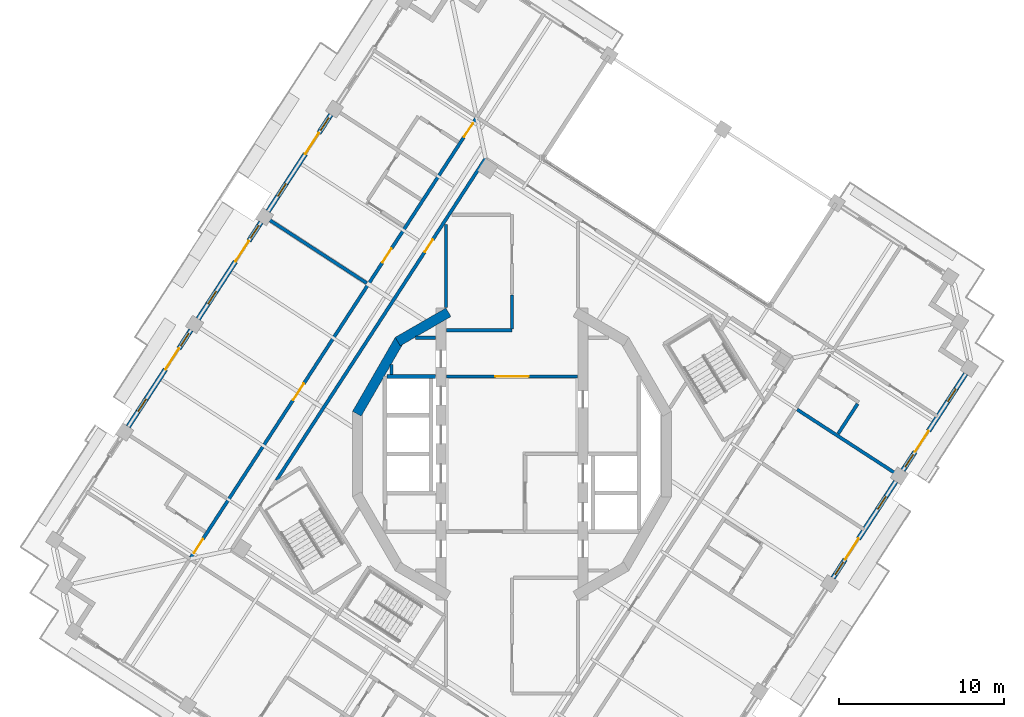
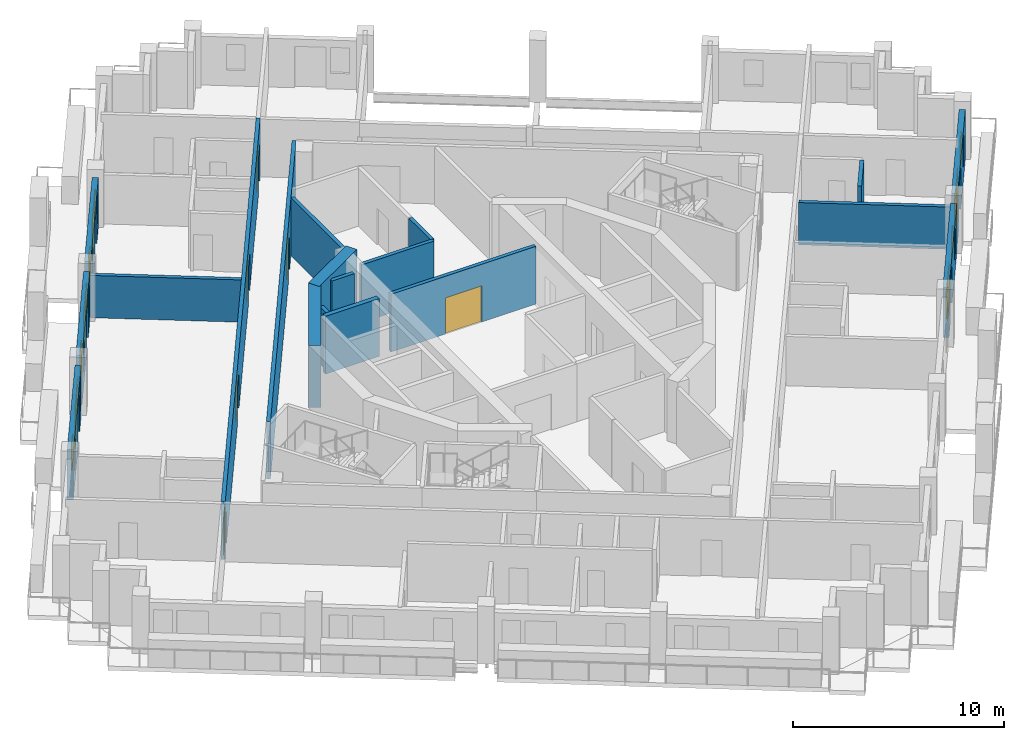
# One storey, part 9 of 17: 19 walls, 11 doors, 10 windows, 21 openings.
"""IFC4 building model written with IfcOpenShell, lengths in metres."""

from ifc_helpers import new_model, si_unit, direction, frame, frame_2d, origin, place, context, subcontext, project, spatial, rectangle, extrude, material, layer, layer_set, type_object, element, fill, save


model = new_model("IFC4")

# Units and contexts
model_context = context("Model", 3, precision=1e-05, world=origin(), true_north=direction((0.0, 1.0)))
body_context = subcontext(model_context, "Body", "Model", "MODEL_VIEW")
ifc_project = project(units=[si_unit("LENGTHUNIT", "METRE"), si_unit("AREAUNIT", "SQUARE_METRE"), si_unit("VOLUMEUNIT", "CUBIC_METRE"), si_unit("PLANEANGLEUNIT", "RADIAN"), si_unit("MASSUNIT", "GRAM", prefix="KILO")], contexts=[model_context])

# Site, building, storey
site_placement = place(None, origin())
site = spatial("IfcSite", under=ifc_project, at=site_placement, CompositionType="ELEMENT")
building_placement = place(site_placement, origin())
building = spatial("IfcBuilding", under=site, at=building_placement, Name="Cantera Rosa Tower", CompositionType="ELEMENT")
storey_placement = place(building_placement, frame((0.0, 0.0, 275.699951171875)))
storey = spatial("IfcBuildingStorey", under=building, at=storey_placement, Name="L62", CompositionType="ELEMENT", Elevation=275.699951171875)

# Wall, opening, door
ifc_material_1 = material(Name="Gypsum board partition")
ifc_layer_1 = layer(ifc_material_1, 0.199951171875)
ifc_layer_set_1 = layer_set([ifc_layer_1], Name="CORRIDOR WALL 200 H3350")
wall_type_1 = type_object("IfcWallType", Name="CORRIDOR WALL 200 H3350", PredefinedType="PARTITIONING", material=ifc_layer_set_1)
wall_1_placement = place(storey_placement, frame((-3.969970703125, 4.699951171875, 0.0), z_axis=(0.0, 0.0, 1.0), x_axis=(1.0, 0.0, 0.0)))
wall_1 = element("IfcWall", 1, at=wall_1_placement, inside=storey, type_object=wall_type_1, Name="CORRIDOR WALL L62-045", PredefinedType="PARTITIONING", context=body_context, shape_type="SweptSolid", body=[
    extrude(rectangle(XDim=7.93994140625, YDim=0.199951171875, at=frame_2d((3.969970703125, 0.0))), origin(), (0.0, 0.0, 1.0), 3.35009765625),
])
opening_1_placement = place(wall_1_placement, frame((2.969970703125, 0.0, 0.0)))
opening_1 = element("IfcOpeningElement", 2, at=opening_1_placement, cuts=wall_1, Name="Opening L62-009", PredefinedType="OPENING", context=body_context, shape_type="SweptSolid", body=[
    extrude(rectangle(XDim=2.0, YDim=2.10009765625, at=frame_2d((1.0, 1.050048828125))), frame((0.0, 0.10986328125, 0.0), z_axis=(0.0, -1.0, 0.0), x_axis=(1.0, 0.0, 0.0)), (0.0, 0.0, 1.0), 0.219970703125),
])
ifc_material_2 = material(Name="Steel S355J2 (EN 10025-2)", Category="steel")
door_type_1 = type_object("IfcDoorType", Name="LOBBY SCREEN DOOR 2000x2100", OperationType="NOTDEFINED", PredefinedType="DOOR", material=ifc_material_2)
door_1_placement = place(opening_1_placement, origin())
door_1 = element("IfcDoor", 3, at=door_1_placement, inside=storey, type_object=door_type_1, Name="DOOR L62-009", OperationType="NOTDEFINED", OverallHeight=2.10009765625, OverallWidth=2.0, PredefinedType="DOOR", context=body_context, shape_type="SweptSolid", body=[
    extrude(rectangle(XDim=2.0, YDim=2.10009765625, at=frame_2d((1.0, 1.050048828125))), frame((0.0, 0.02490234375, 0.0), z_axis=(0.0, -1.0, 0.0), x_axis=(1.0, 0.0, 0.0)), (0.0, 0.0, 1.0), 0.050048828125),
])
fill(opening_1, door_1)

# Wall
wall_2_placement = place(storey_placement, frame((-3.969970703125, 7.5, 0.0), z_axis=(0.0, 0.0, 1.0), x_axis=(1.0, 0.0, 0.0)))
element("IfcWall", 4, at=wall_2_placement, inside=storey, type_object=wall_type_1, Name="CORRIDOR WALL L62-046", PredefinedType="PARTITIONING", context=body_context, shape_type="SweptSolid", body=[
    extrude(rectangle(XDim=3.969970703125, YDim=0.199951171875, at=frame_2d((1.98486328125, 0.0))), origin(), (0.0, 0.0, 1.0), 3.35009765625),
])

# Wall, openings, doors
wall_3_placement = place(storey_placement, frame((-2.1318359375, 20.402587890625, 0.0), z_axis=(0.0, 0.0, 1.0), x_axis=(-0.544641000227, -0.838669291719, 0.0)))
wall_3 = element("IfcWall", 5, at=wall_3_placement, inside=storey, type_object=wall_type_1, Name="CORRIDOR WALL L62-049", PredefinedType="PARTITIONING", context=body_context, shape_type="SweptSolid", body=[
    extrude(rectangle(XDim=31.800048828125, YDim=0.199951171875, at=frame_2d((15.89990234375, 0.0))), origin(), (0.0, 0.0, 1.0), 3.35009765625),
])
opening_2_placement = place(wall_3_placement, frame((19.239990234375, 0.0, 0.0)))
opening_2 = element("IfcOpeningElement", 6, at=opening_2_placement, cuts=wall_3, Name="Opening L62-022", PredefinedType="OPENING", context=body_context, shape_type="SweptSolid", body=[
    extrude(rectangle(XDim=1.199951171875, YDim=2.10009765625, at=frame_2d((0.60009765625, 1.050048828125))), frame((0.0, 0.10986328125, 0.0), z_axis=(0.0, -1.0, 0.0), x_axis=(1.0, 0.0, 0.0)), (0.0, 0.0, 1.0), 0.219970703125),
])
opening_3_placement = place(wall_3_placement, frame((9.4951171875, 0.0, 0.0)))
opening_3 = element("IfcOpeningElement", 7, at=opening_3_placement, cuts=wall_3, Name="Opening L62-023", PredefinedType="OPENING", context=body_context, shape_type="SweptSolid", body=[
    extrude(rectangle(XDim=1.0, YDim=2.10009765625, at=frame_2d((0.5, 1.050048828125))), frame((0.0, 0.10986328125, 0.0), z_axis=(0.0, -1.0, 0.0), x_axis=(1.0, 0.0, 0.0)), (0.0, 0.0, 1.0), 0.219970703125),
])
opening_4_placement = place(wall_3_placement, frame((0.43994140625, 0.0, 0.0)))
opening_4 = element("IfcOpeningElement", 8, at=opening_4_placement, cuts=wall_3, Name="Opening L62-026", PredefinedType="OPENING", context=body_context, shape_type="SweptSolid", body=[
    extrude(rectangle(XDim=1.0, YDim=2.10009765625, at=frame_2d((0.5, 1.050048828125))), frame((0.0, 0.10986328125, 0.0), z_axis=(0.0, -1.0, 0.0), x_axis=(1.0, 0.0, 0.0)), (0.0, 0.0, 1.0), 0.219970703125),
])
opening_5_placement = place(wall_3_placement, frame((30.4599609375, 0.0, 0.0)))
opening_5 = element("IfcOpeningElement", 9, at=opening_5_placement, cuts=wall_3, Name="Opening L62-029", PredefinedType="OPENING", context=body_context, shape_type="SweptSolid", body=[
    extrude(rectangle(XDim=1.0, YDim=2.10009765625, at=frame_2d((0.5, 1.050048828125))), frame((0.0, 0.10986328125, 0.0), z_axis=(0.0, -1.0, 0.0), x_axis=(1.0, 0.0, 0.0)), (0.0, 0.0, 1.0), 0.219970703125),
])
ifc_material_3 = material(Name="Timber door leaf", Category="wood")
door_type_2 = type_object("IfcDoorType", Name="ENTRANCE DOOR 1000x2100", OperationType="NOTDEFINED", PredefinedType="DOOR", material=ifc_material_3)
door_2_placement = place(opening_3_placement, origin())
door_2 = element("IfcDoor", 10, at=door_2_placement, inside=storey, type_object=door_type_2, Name="DOOR L62-023", OperationType="NOTDEFINED", OverallHeight=2.10009765625, OverallWidth=1.0, PredefinedType="DOOR", context=body_context, shape_type="SweptSolid", body=[
    extrude(rectangle(XDim=1.0, YDim=2.10009765625, at=frame_2d((0.5, 1.050048828125))), frame((0.0, 0.02490234375, 0.0), z_axis=(0.0, -1.0, 0.0), x_axis=(1.0, 0.0, 0.0)), (0.0, 0.0, 1.0), 0.050048828125),
])
fill(opening_3, door_2)
door_3_placement = place(opening_4_placement, origin())
door_3 = element("IfcDoor", 11, at=door_3_placement, inside=storey, type_object=door_type_2, Name="DOOR L62-026", OperationType="NOTDEFINED", OverallHeight=2.10009765625, OverallWidth=1.0, PredefinedType="DOOR", context=body_context, shape_type="SweptSolid", body=[
    extrude(rectangle(XDim=1.0, YDim=2.10009765625, at=frame_2d((0.5, 1.050048828125))), frame((0.0, 0.02490234375, 0.0), z_axis=(0.0, -1.0, 0.0), x_axis=(1.0, 0.0, 0.0)), (0.0, 0.0, 1.0), 0.050048828125),
])
fill(opening_4, door_3)
door_4_placement = place(opening_5_placement, origin())
door_4 = element("IfcDoor", 12, at=door_4_placement, inside=storey, type_object=door_type_2, Name="DOOR L62-029", OperationType="NOTDEFINED", OverallHeight=2.10009765625, OverallWidth=1.0, PredefinedType="DOOR", context=body_context, shape_type="SweptSolid", body=[
    extrude(rectangle(XDim=1.0, YDim=2.10009765625, at=frame_2d((0.5, 1.050048828125))), frame((0.0, 0.02490234375, 0.0), z_axis=(0.0, -1.0, 0.0), x_axis=(1.0, 0.0, 0.0)), (0.0, 0.0, 1.0), 0.050048828125),
])
fill(opening_5, door_4)
ifc_material_4 = material(Name="Timber door leaf", Category="wood")
door_type_3 = type_object("IfcDoorType", Name="ROOM DOOR 1200x2100", OperationType="NOTDEFINED", PredefinedType="DOOR", material=ifc_material_4)
door_5_placement = place(opening_2_placement, origin())
door_5 = element("IfcDoor", 13, at=door_5_placement, inside=storey, type_object=door_type_3, Name="DOOR L62-022", OperationType="NOTDEFINED", OverallHeight=2.10009765625, OverallWidth=1.199951171875, PredefinedType="DOOR", context=body_context, shape_type="SweptSolid", body=[
    extrude(rectangle(XDim=1.199951171875, YDim=2.10009765625, at=frame_2d((0.60009765625, 1.050048828125))), frame((0.0, 0.02490234375, 0.0), z_axis=(0.0, -1.0, 0.0), x_axis=(1.0, 0.0, 0.0)), (0.0, 0.0, 1.0), 0.050048828125),
])
fill(opening_2, door_5)

# Wall, opening, door
wall_4_placement = place(storey_placement, frame((-1.6025390625, 17.91259765625, 0.0), z_axis=(0.0, 0.0, 1.0), x_axis=(-0.544642173362, -0.838668529871, 0.0)))
wall_4 = element("IfcWall", 14, at=wall_4_placement, inside=storey, type_object=wall_type_1, Name="CORRIDOR WALL L62-053", PredefinedType="PARTITIONING", context=body_context, shape_type="SweptSolid", body=[
    extrude(rectangle(XDim=23.255126953125, YDim=0.199951171875, at=frame_2d((11.62744140625, 0.0))), origin(), (0.0, 0.0, 1.0), 3.35009765625),
])
opening_6_placement = place(wall_4_placement, frame((5.8623046875, 0.0, 0.0)))
opening_6 = element("IfcOpeningElement", 15, at=opening_6_placement, cuts=wall_4, Name="Opening L62-004", PredefinedType="OPENING", context=body_context, shape_type="SweptSolid", body=[
    extrude(rectangle(XDim=0.89990234375, YDim=2.10009765625, at=frame_2d((0.449951171875, 1.050048828125))), frame((0.0, 0.10986328125, 0.0), z_axis=(0.0, -1.0, 0.0), x_axis=(1.0, 0.0, 0.0)), (0.0, 0.0, 1.0), 0.219970703125),
])
ifc_material_5 = material(Name="Timber door leaf", Category="wood")
door_type_4 = type_object("IfcDoorType", Name="SERVICE DOOR 900x2100", OperationType="NOTDEFINED", PredefinedType="DOOR", material=ifc_material_5)
door_6_placement = place(opening_6_placement, origin())
door_6 = element("IfcDoor", 16, at=door_6_placement, inside=storey, type_object=door_type_4, Name="DOOR L62-004", OperationType="NOTDEFINED", OverallHeight=2.10009765625, OverallWidth=0.89990234375, PredefinedType="DOOR", context=body_context, shape_type="SweptSolid", body=[
    extrude(rectangle(XDim=0.89990234375, YDim=2.10009765625, at=frame_2d((0.449951171875, 1.050048828125))), frame((0.0, 0.02490234375, 0.0), z_axis=(0.0, -1.0, 0.0), x_axis=(1.0, 0.0, 0.0)), (0.0, 0.0, 1.0), 0.050048828125),
])
fill(opening_6, door_6)

# Wall
wall_5_placement = place(storey_placement, frame((0.0, 7.580078125, 0.0), z_axis=(0.0, 0.0, 1.0), x_axis=(0.0, 1.0, 0.0)))
element("IfcWall", 17, at=wall_5_placement, inside=storey, type_object=wall_type_1, Name="CORRIDOR WALL L62-057", PredefinedType="PARTITIONING", context=body_context, shape_type="SweptSolid", body=[
    extrude(rectangle(XDim=2.04931640625, YDim=0.199951171875, at=frame_2d((1.024658203125, 0.0))), origin(), (0.0, 0.0, 1.0), 3.35009765625),
])

# Wall, openings, windows, door
ifc_material_6 = material(Name="Hollow clay masonry with cantera stone cladding", Category="masonry")
ifc_layer_2 = layer(ifc_material_6, 0.300048828125)
ifc_layer_set_2 = layer_set([ifc_layer_2], Name="EW-LOGGIA 300 H2890")
wall_type_2 = type_object("IfcWallType", Name="EW-LOGGIA 300 H2890", PredefinedType="SOLIDWALL", material=ifc_layer_set_2)
wall_6_placement = place(storey_placement, frame((-10.970703125, 20.5625, 0.0), z_axis=(0.0, 0.0, 1.0), x_axis=(-0.544651451949, -0.838662504164, 0.0)))
wall_6 = element("IfcWall", 18, at=wall_6_placement, inside=storey, type_object=wall_type_2, Name="EN-L62-W08", PredefinedType="SOLIDWALL", context=body_context, shape_type="SweptSolid", body=[
    extrude(rectangle(XDim=6.980224609375, YDim=0.300048828125, at=frame_2d((3.490234375, 0.0))), origin(), (0.0, 0.0, 1.0), 2.89013671875),
])
opening_7_placement = place(wall_6_placement, frame((0.2451171875, 0.0, 0.89990234375)))
opening_7 = element("IfcOpeningElement", 19, at=opening_7_placement, cuts=wall_6, Name="Opening L62-W10", PredefinedType="OPENING", context=body_context, shape_type="SweptSolid", body=[
    extrude(rectangle(XDim=0.89990234375, YDim=1.5, at=frame_2d((0.449951171875, 0.75))), frame((0.0, 0.159912109375, 0.0), z_axis=(0.0, -1.0, 0.0), x_axis=(1.0, 0.0, 0.0)), (0.0, 0.0, 1.0), 0.320068359375),
])
opening_8_placement = place(wall_6_placement, frame((1.344970703125, 0.0, 0.0)))
opening_8 = element("IfcOpeningElement", 20, at=opening_8_placement, cuts=wall_6, Name="Opening L62-TD11", PredefinedType="OPENING", context=body_context, shape_type="SweptSolid", body=[
    extrude(rectangle(XDim=1.5, YDim=2.39990234375, at=frame_2d((0.75, 1.199951171875))), frame((0.0, 0.159912109375, 0.0), z_axis=(0.0, -1.0, 0.0), x_axis=(1.0, 0.0, 0.0)), (0.0, 0.0, 1.0), 0.320068359375),
])
opening_9_placement = place(wall_6_placement, frame((4.985107421875, 0.0, 0.89990234375)))
opening_9 = element("IfcOpeningElement", 21, at=opening_9_placement, cuts=wall_6, Name="Opening L62-W12", PredefinedType="OPENING", context=body_context, shape_type="SweptSolid", body=[
    extrude(rectangle(XDim=0.89990234375, YDim=1.5, at=frame_2d((0.449951171875, 0.75))), frame((0.0, 0.159912109375, 0.0), z_axis=(0.0, -1.0, 0.0), x_axis=(1.0, 0.0, 0.0)), (0.0, 0.0, 1.0), 0.320068359375),
])
ifc_material_7 = material(Name="Aluminium frame with clear glass", Category="aluminium")
window_type = type_object("IfcWindowType", Name="Residential window 900x1500", PartitioningType="SINGLE_PANEL", PredefinedType="WINDOW", material=ifc_material_7)
window_1_placement = place(opening_7_placement, origin())
window_1 = element("IfcWindow", 22, at=window_1_placement, inside=storey, type_object=window_type, Name="WINDOW L62-W10", OverallHeight=1.5, OverallWidth=0.89990234375, PartitioningType="SINGLE_PANEL", PredefinedType="WINDOW", context=body_context, shape_type="SweptSolid", body=[
    extrude(rectangle(XDim=0.89990234375, YDim=1.5, at=frame_2d((0.449951171875, 0.75))), frame((0.0, 0.030029296875, 0.0), z_axis=(0.0, -1.0, 0.0), x_axis=(1.0, 0.0, 0.0)), (0.0, 0.0, 1.0), 0.06005859375),
])
fill(opening_7, window_1)
window_2_placement = place(opening_9_placement, origin())
window_2 = element("IfcWindow", 23, at=window_2_placement, inside=storey, type_object=window_type, Name="WINDOW L62-W12", OverallHeight=1.5, OverallWidth=0.89990234375, PartitioningType="SINGLE_PANEL", PredefinedType="WINDOW", context=body_context, shape_type="SweptSolid", body=[
    extrude(rectangle(XDim=0.89990234375, YDim=1.5, at=frame_2d((0.449951171875, 0.75))), frame((0.0, 0.030029296875, 0.0), z_axis=(0.0, -1.0, 0.0), x_axis=(1.0, 0.0, 0.0)), (0.0, 0.0, 1.0), 0.06005859375),
])
fill(opening_9, window_2)
ifc_material_8 = material(Name="Aluminium frame with clear glass", Category="aluminium")
door_type_5 = type_object("IfcDoorType", Name="TD-R 1500x2400", OperationType="NOTDEFINED", PredefinedType="DOOR", material=ifc_material_8)
door_7_placement = place(opening_8_placement, origin())
door_7 = element("IfcDoor", 24, at=door_7_placement, inside=storey, type_object=door_type_5, Name="LOGGIA DOOR L62-TD11", OperationType="SLIDING_TO_LEFT", OverallHeight=2.39990234375, OverallWidth=1.5, PredefinedType="DOOR", context=body_context, shape_type="SweptSolid", body=[
    extrude(rectangle(XDim=1.5, YDim=2.39990234375, at=frame_2d((0.75, 1.199951171875))), frame((0.0, 0.02490234375, 0.0), z_axis=(0.0, -1.0, 0.0), x_axis=(1.0, 0.0, 0.0)), (0.0, 0.0, 1.0), 0.050048828125),
])
fill(opening_8, door_7)

wall_7_placement = place(storey_placement, frame((-15.2080078125, 14.03759765625, 0.0), z_axis=(0.0, 0.0, 1.0), x_axis=(-0.544651451949, -0.838662504164, 0.0)))
wall_7 = element("IfcWall", 25, at=wall_7_placement, inside=storey, type_object=wall_type_2, Name="EN-L62-W09", PredefinedType="SOLIDWALL", context=body_context, shape_type="SweptSolid", body=[
    extrude(rectangle(XDim=6.980224609375, YDim=0.300048828125, at=frame_2d((3.490234375, 0.0))), origin(), (0.0, 0.0, 1.0), 2.89013671875),
])
opening_10_placement = place(wall_7_placement, frame((0.2451171875, 0.0, 0.89990234375)))
opening_10 = element("IfcOpeningElement", 26, at=opening_10_placement, cuts=wall_7, Name="Opening L62-W13", PredefinedType="OPENING", context=body_context, shape_type="SweptSolid", body=[
    extrude(rectangle(XDim=0.89990234375, YDim=1.5, at=frame_2d((0.449951171875, 0.75))), frame((0.0, 0.159912109375, 0.0), z_axis=(0.0, -1.0, 0.0), x_axis=(1.0, 0.0, 0.0)), (0.0, 0.0, 1.0), 0.320068359375),
])
opening_11_placement = place(wall_7_placement, frame((1.344970703125, 0.0, 0.0)))
opening_11 = element("IfcOpeningElement", 27, at=opening_11_placement, cuts=wall_7, Name="Opening L62-TD14", PredefinedType="OPENING", context=body_context, shape_type="SweptSolid", body=[
    extrude(rectangle(XDim=1.5, YDim=2.39990234375, at=frame_2d((0.75, 1.199951171875))), frame((0.0, 0.159912109375, 0.0), z_axis=(0.0, -1.0, 0.0), x_axis=(1.0, 0.0, 0.0)), (0.0, 0.0, 1.0), 0.320068359375),
])
opening_12_placement = place(wall_7_placement, frame((4.985107421875, 0.0, 0.89990234375)))
opening_12 = element("IfcOpeningElement", 28, at=opening_12_placement, cuts=wall_7, Name="Opening L62-W15", PredefinedType="OPENING", context=body_context, shape_type="SweptSolid", body=[
    extrude(rectangle(XDim=0.89990234375, YDim=1.5, at=frame_2d((0.449951171875, 0.75))), frame((0.0, 0.159912109375, 0.0), z_axis=(0.0, -1.0, 0.0), x_axis=(1.0, 0.0, 0.0)), (0.0, 0.0, 1.0), 0.320068359375),
])
window_3_placement = place(opening_10_placement, origin())
window_3 = element("IfcWindow", 29, at=window_3_placement, inside=storey, type_object=window_type, Name="WINDOW L62-W13", OverallHeight=1.5, OverallWidth=0.89990234375, PartitioningType="SINGLE_PANEL", PredefinedType="WINDOW", context=body_context, shape_type="SweptSolid", body=[
    extrude(rectangle(XDim=0.89990234375, YDim=1.5, at=frame_2d((0.449951171875, 0.75))), frame((0.0, 0.030029296875, 0.0), z_axis=(0.0, -1.0, 0.0), x_axis=(1.0, 0.0, 0.0)), (0.0, 0.0, 1.0), 0.06005859375),
])
fill(opening_10, window_3)
window_4_placement = place(opening_12_placement, origin())
window_4 = element("IfcWindow", 30, at=window_4_placement, inside=storey, type_object=window_type, Name="WINDOW L62-W15", OverallHeight=1.5, OverallWidth=0.89990234375, PartitioningType="SINGLE_PANEL", PredefinedType="WINDOW", context=body_context, shape_type="SweptSolid", body=[
    extrude(rectangle(XDim=0.89990234375, YDim=1.5, at=frame_2d((0.449951171875, 0.75))), frame((0.0, 0.030029296875, 0.0), z_axis=(0.0, -1.0, 0.0), x_axis=(1.0, 0.0, 0.0)), (0.0, 0.0, 1.0), 0.06005859375),
])
fill(opening_12, window_4)
door_8_placement = place(opening_11_placement, origin())
door_8 = element("IfcDoor", 31, at=door_8_placement, inside=storey, type_object=door_type_5, Name="LOGGIA DOOR L62-TD14", OperationType="SLIDING_TO_LEFT", OverallHeight=2.39990234375, OverallWidth=1.5, PredefinedType="DOOR", context=body_context, shape_type="SweptSolid", body=[
    extrude(rectangle(XDim=1.5, YDim=2.39990234375, at=frame_2d((0.75, 1.199951171875))), frame((0.0, 0.02490234375, 0.0), z_axis=(0.0, -1.0, 0.0), x_axis=(1.0, 0.0, 0.0)), (0.0, 0.0, 1.0), 0.050048828125),
])
fill(opening_11, door_8)

wall_8_placement = place(storey_placement, frame((-19.4453125, 7.5126953125, 0.0), z_axis=(0.0, 0.0, 1.0), x_axis=(-0.544667428764, -0.838652128146, 0.0)))
wall_8 = element("IfcWall", 32, at=wall_8_placement, inside=storey, type_object=wall_type_2, Name="EN-L62-W10", PredefinedType="SOLIDWALL", context=body_context, shape_type="SweptSolid", body=[
    extrude(rectangle(XDim=6.97998046875, YDim=0.300048828125, at=frame_2d((3.489990234375, 0.0))), origin(), (0.0, 0.0, 1.0), 2.89013671875),
])
opening_13_placement = place(wall_8_placement, frame((0.2451171875, 0.0, 0.89990234375)))
opening_13 = element("IfcOpeningElement", 33, at=opening_13_placement, cuts=wall_8, Name="Opening L62-W16", PredefinedType="OPENING", context=body_context, shape_type="SweptSolid", body=[
    extrude(rectangle(XDim=0.89990234375, YDim=1.5, at=frame_2d((0.449951171875, 0.75))), frame((0.0, 0.159912109375, 0.0), z_axis=(0.0, -1.0, 0.0), x_axis=(1.0, 0.0, 0.0)), (0.0, 0.0, 1.0), 0.320068359375),
])
opening_14_placement = place(wall_8_placement, frame((1.344970703125, 0.0, 0.0)))
opening_14 = element("IfcOpeningElement", 34, at=opening_14_placement, cuts=wall_8, Name="Opening L62-TD17", PredefinedType="OPENING", context=body_context, shape_type="SweptSolid", body=[
    extrude(rectangle(XDim=1.5, YDim=2.39990234375, at=frame_2d((0.75, 1.199951171875))), frame((0.0, 0.159912109375, 0.0), z_axis=(0.0, -1.0, 0.0), x_axis=(1.0, 0.0, 0.0)), (0.0, 0.0, 1.0), 0.320068359375),
])
opening_15_placement = place(wall_8_placement, frame((4.985107421875, 0.0, 0.89990234375)))
opening_15 = element("IfcOpeningElement", 35, at=opening_15_placement, cuts=wall_8, Name="Opening L62-W18", PredefinedType="OPENING", context=body_context, shape_type="SweptSolid", body=[
    extrude(rectangle(XDim=0.89990234375, YDim=1.5, at=frame_2d((0.449951171875, 0.75))), frame((0.0, 0.159912109375, 0.0), z_axis=(0.0, -1.0, 0.0), x_axis=(1.0, 0.0, 0.0)), (0.0, 0.0, 1.0), 0.320068359375),
])
window_5_placement = place(opening_13_placement, origin())
window_5 = element("IfcWindow", 36, at=window_5_placement, inside=storey, type_object=window_type, Name="WINDOW L62-W16", OverallHeight=1.5, OverallWidth=0.89990234375, PartitioningType="SINGLE_PANEL", PredefinedType="WINDOW", context=body_context, shape_type="SweptSolid", body=[
    extrude(rectangle(XDim=0.89990234375, YDim=1.5, at=frame_2d((0.449951171875, 0.75))), frame((0.0, 0.030029296875, 0.0), z_axis=(0.0, -1.0, 0.0), x_axis=(1.0, 0.0, 0.0)), (0.0, 0.0, 1.0), 0.06005859375),
])
fill(opening_13, window_5)
window_6_placement = place(opening_15_placement, origin())
window_6 = element("IfcWindow", 37, at=window_6_placement, inside=storey, type_object=window_type, Name="WINDOW L62-W18", OverallHeight=1.5, OverallWidth=0.89990234375, PartitioningType="SINGLE_PANEL", PredefinedType="WINDOW", context=body_context, shape_type="SweptSolid", body=[
    extrude(rectangle(XDim=0.89990234375, YDim=1.5, at=frame_2d((0.449951171875, 0.75))), frame((0.0, 0.030029296875, 0.0), z_axis=(0.0, -1.0, 0.0), x_axis=(1.0, 0.0, 0.0)), (0.0, 0.0, 1.0), 0.06005859375),
])
fill(opening_15, window_6)
door_9_placement = place(opening_14_placement, origin())
door_9 = element("IfcDoor", 38, at=door_9_placement, inside=storey, type_object=door_type_5, Name="LOGGIA DOOR L62-TD17", OperationType="SLIDING_TO_LEFT", OverallHeight=2.39990234375, OverallWidth=1.5, PredefinedType="DOOR", context=body_context, shape_type="SweptSolid", body=[
    extrude(rectangle(XDim=1.5, YDim=2.39990234375, at=frame_2d((0.75, 1.199951171875))), frame((0.0, 0.02490234375, 0.0), z_axis=(0.0, -1.0, 0.0), x_axis=(1.0, 0.0, 0.0)), (0.0, 0.0, 1.0), 0.050048828125),
])
fill(opening_14, door_9)

wall_9_placement = place(storey_placement, frame((19.4453125, -7.5126953125, 0.0), z_axis=(0.0, 0.0, 1.0), x_axis=(0.544667428764, 0.838652128146, 0.0)))
wall_9 = element("IfcWall", 39, at=wall_9_placement, inside=storey, type_object=wall_type_2, Name="EN-L62-W23", PredefinedType="SOLIDWALL", context=body_context, shape_type="SweptSolid", body=[
    extrude(rectangle(XDim=6.97998046875, YDim=0.300048828125, at=frame_2d((3.489990234375, 0.0))), origin(), (0.0, 0.0, 1.0), 2.89013671875),
])
opening_16_placement = place(wall_9_placement, frame((0.2451171875, 0.0, 0.89990234375)))
opening_16 = element("IfcOpeningElement", 40, at=opening_16_placement, cuts=wall_9, Name="Opening L62-W43", PredefinedType="OPENING", context=body_context, shape_type="SweptSolid", body=[
    extrude(rectangle(XDim=0.89990234375, YDim=1.5, at=frame_2d((0.449951171875, 0.75))), frame((0.0, 0.159912109375, 0.0), z_axis=(0.0, -1.0, 0.0), x_axis=(1.0, 0.0, 0.0)), (0.0, 0.0, 1.0), 0.320068359375),
])
opening_17_placement = place(wall_9_placement, frame((1.344970703125, 0.0, 0.0)))
opening_17 = element("IfcOpeningElement", 41, at=opening_17_placement, cuts=wall_9, Name="Opening L62-TD44", PredefinedType="OPENING", context=body_context, shape_type="SweptSolid", body=[
    extrude(rectangle(XDim=1.5, YDim=2.39990234375, at=frame_2d((0.75, 1.199951171875))), frame((0.0, 0.159912109375, 0.0), z_axis=(0.0, -1.0, 0.0), x_axis=(1.0, 0.0, 0.0)), (0.0, 0.0, 1.0), 0.320068359375),
])
opening_18_placement = place(wall_9_placement, frame((4.985107421875, 0.0, 0.89990234375)))
opening_18 = element("IfcOpeningElement", 42, at=opening_18_placement, cuts=wall_9, Name="Opening L62-W45", PredefinedType="OPENING", context=body_context, shape_type="SweptSolid", body=[
    extrude(rectangle(XDim=0.89990234375, YDim=1.5, at=frame_2d((0.449951171875, 0.75))), frame((0.0, 0.159912109375, 0.0), z_axis=(0.0, -1.0, 0.0), x_axis=(1.0, 0.0, 0.0)), (0.0, 0.0, 1.0), 0.320068359375),
])
window_7_placement = place(opening_16_placement, origin())
window_7 = element("IfcWindow", 43, at=window_7_placement, inside=storey, type_object=window_type, Name="WINDOW L62-W43", OverallHeight=1.5, OverallWidth=0.89990234375, PartitioningType="SINGLE_PANEL", PredefinedType="WINDOW", context=body_context, shape_type="SweptSolid", body=[
    extrude(rectangle(XDim=0.89990234375, YDim=1.5, at=frame_2d((0.449951171875, 0.75))), frame((0.0, 0.030029296875, 0.0), z_axis=(0.0, -1.0, 0.0), x_axis=(1.0, 0.0, 0.0)), (0.0, 0.0, 1.0), 0.06005859375),
])
fill(opening_16, window_7)
window_8_placement = place(opening_18_placement, origin())
window_8 = element("IfcWindow", 44, at=window_8_placement, inside=storey, type_object=window_type, Name="WINDOW L62-W45", OverallHeight=1.5, OverallWidth=0.89990234375, PartitioningType="SINGLE_PANEL", PredefinedType="WINDOW", context=body_context, shape_type="SweptSolid", body=[
    extrude(rectangle(XDim=0.89990234375, YDim=1.5, at=frame_2d((0.449951171875, 0.75))), frame((0.0, 0.030029296875, 0.0), z_axis=(0.0, -1.0, 0.0), x_axis=(1.0, 0.0, 0.0)), (0.0, 0.0, 1.0), 0.06005859375),
])
fill(opening_18, window_8)
door_10_placement = place(opening_17_placement, origin())
door_10 = element("IfcDoor", 45, at=door_10_placement, inside=storey, type_object=door_type_5, Name="LOGGIA DOOR L62-TD44", OperationType="SLIDING_TO_LEFT", OverallHeight=2.39990234375, OverallWidth=1.5, PredefinedType="DOOR", context=body_context, shape_type="SweptSolid", body=[
    extrude(rectangle(XDim=1.5, YDim=2.39990234375, at=frame_2d((0.75, 1.199951171875))), frame((0.0, 0.02490234375, 0.0), z_axis=(0.0, -1.0, 0.0), x_axis=(1.0, 0.0, 0.0)), (0.0, 0.0, 1.0), 0.050048828125),
])
fill(opening_17, door_10)

wall_10_placement = place(storey_placement, frame((23.6826171875, -0.98779296875, 0.0), z_axis=(0.0, 0.0, 1.0), x_axis=(0.544667428764, 0.838652128146, 0.0)))
wall_10 = element("IfcWall", 46, at=wall_10_placement, inside=storey, type_object=wall_type_2, Name="EN-L62-W24", PredefinedType="SOLIDWALL", context=body_context, shape_type="SweptSolid", body=[
    extrude(rectangle(XDim=6.97998046875, YDim=0.300048828125, at=frame_2d((3.489990234375, 0.0))), origin(), (0.0, 0.0, 1.0), 2.89013671875),
])
opening_19_placement = place(wall_10_placement, frame((0.2451171875, 0.0, 0.89990234375)))
opening_19 = element("IfcOpeningElement", 47, at=opening_19_placement, cuts=wall_10, Name="Opening L62-W46", PredefinedType="OPENING", context=body_context, shape_type="SweptSolid", body=[
    extrude(rectangle(XDim=0.89990234375, YDim=1.5, at=frame_2d((0.449951171875, 0.75))), frame((0.0, 0.159912109375, 0.0), z_axis=(0.0, -1.0, 0.0), x_axis=(1.0, 0.0, 0.0)), (0.0, 0.0, 1.0), 0.320068359375),
])
opening_20_placement = place(wall_10_placement, frame((1.344970703125, 0.0, 0.0)))
opening_20 = element("IfcOpeningElement", 48, at=opening_20_placement, cuts=wall_10, Name="Opening L62-TD47", PredefinedType="OPENING", context=body_context, shape_type="SweptSolid", body=[
    extrude(rectangle(XDim=1.5, YDim=2.39990234375, at=frame_2d((0.75, 1.199951171875))), frame((0.0, 0.159912109375, 0.0), z_axis=(0.0, -1.0, 0.0), x_axis=(1.0, 0.0, 0.0)), (0.0, 0.0, 1.0), 0.320068359375),
])
opening_21_placement = place(wall_10_placement, frame((4.985107421875, 0.0, 0.89990234375)))
opening_21 = element("IfcOpeningElement", 49, at=opening_21_placement, cuts=wall_10, Name="Opening L62-W48", PredefinedType="OPENING", context=body_context, shape_type="SweptSolid", body=[
    extrude(rectangle(XDim=0.89990234375, YDim=1.5, at=frame_2d((0.449951171875, 0.75))), frame((0.0, 0.159912109375, 0.0), z_axis=(0.0, -1.0, 0.0), x_axis=(1.0, 0.0, 0.0)), (0.0, 0.0, 1.0), 0.320068359375),
])
window_9_placement = place(opening_19_placement, origin())
window_9 = element("IfcWindow", 50, at=window_9_placement, inside=storey, type_object=window_type, Name="WINDOW L62-W46", OverallHeight=1.5, OverallWidth=0.89990234375, PartitioningType="SINGLE_PANEL", PredefinedType="WINDOW", context=body_context, shape_type="SweptSolid", body=[
    extrude(rectangle(XDim=0.89990234375, YDim=1.5, at=frame_2d((0.449951171875, 0.75))), frame((0.0, 0.030029296875, 0.0), z_axis=(0.0, -1.0, 0.0), x_axis=(1.0, 0.0, 0.0)), (0.0, 0.0, 1.0), 0.06005859375),
])
fill(opening_19, window_9)
window_10_placement = place(opening_21_placement, origin())
window_10 = element("IfcWindow", 51, at=window_10_placement, inside=storey, type_object=window_type, Name="WINDOW L62-W48", OverallHeight=1.5, OverallWidth=0.89990234375, PartitioningType="SINGLE_PANEL", PredefinedType="WINDOW", context=body_context, shape_type="SweptSolid", body=[
    extrude(rectangle(XDim=0.89990234375, YDim=1.5, at=frame_2d((0.449951171875, 0.75))), frame((0.0, 0.030029296875, 0.0), z_axis=(0.0, -1.0, 0.0), x_axis=(1.0, 0.0, 0.0)), (0.0, 0.0, 1.0), 0.06005859375),
])
fill(opening_21, window_10)
door_11_placement = place(opening_20_placement, origin())
door_11 = element("IfcDoor", 52, at=door_11_placement, inside=storey, type_object=door_type_5, Name="LOGGIA DOOR L62-TD47", OperationType="SLIDING_TO_LEFT", OverallHeight=2.39990234375, OverallWidth=1.5, PredefinedType="DOOR", context=body_context, shape_type="SweptSolid", body=[
    extrude(rectangle(XDim=1.5, YDim=2.39990234375, at=frame_2d((0.75, 1.199951171875))), frame((0.0, 0.02490234375, 0.0), z_axis=(0.0, -1.0, 0.0), x_axis=(1.0, 0.0, 0.0)), (0.0, 0.0, 1.0), 0.050048828125),
])
fill(opening_20, door_11)

# Walls
ifc_material_9 = material(Name="Gypsum board partition")
ifc_layer_3 = layer(ifc_material_9, 0.199951171875)
ifc_layer_set_3 = layer_set([ifc_layer_3], Name="PARTITION 200 H3350")
wall_type_3 = type_object("IfcWallType", Name="PARTITION 200 H3350", PredefinedType="PARTITIONING", material=ifc_layer_set_3)
wall_11_placement = place(storey_placement, frame((-7.300048828125, 4.824951171875, 0.0), z_axis=(0.0, 0.0, 1.0), x_axis=(0.0, 1.0, 0.0)))
element("IfcWall", 53, at=wall_11_placement, inside=storey, type_object=wall_type_3, Name="PARTITION L62-031", PredefinedType="PARTITIONING", context=body_context, shape_type="SweptSolid", body=[
    extrude(rectangle(XDim=0.589599609375, YDim=0.199951171875, at=frame_2d((0.294921875, 0.0))), origin(), (0.0, 0.0, 1.0), 3.35009765625),
])
wall_12_placement = place(storey_placement, frame((-5.84765625, 7.050048828125, 0.0), z_axis=(0.0, 0.0, 1.0), x_axis=(1.0, 0.0, 0.0)))
element("IfcWall", 54, at=wall_12_placement, inside=storey, type_object=wall_type_3, Name="PARTITION L62-035", PredefinedType="PARTITIONING", context=body_context, shape_type="SweptSolid", body=[
    extrude(rectangle(XDim=1.2177734375, YDim=0.199951171875, at=frame_2d((0.60888671875, 0.0))), origin(), (0.0, 0.0, 1.0), 3.35009765625),
])
wall_13_placement = place(storey_placement, frame((-4.0, 13.90087890625, 0.0), z_axis=(0.0, 0.0, 1.0), x_axis=(0.0, -1.0, 0.0)))
element("IfcWall", 55, at=wall_13_placement, inside=storey, type_object=wall_type_3, Name="PARTITION L62-044", PredefinedType="PARTITIONING", context=body_context, shape_type="SweptSolid", body=[
    extrude(rectangle(XDim=5.02197265625, YDim=0.199951171875, at=frame_2d((2.510986328125, 0.0))), origin(), (0.0, 0.0, 1.0), 3.35009765625),
])
wall_14_placement = place(storey_placement, frame((20.9326171875, 3.039794921875, 0.0), z_axis=(0.0, 0.0, 1.0), x_axis=(-0.544670488944, -0.838650140686, 0.0)))
element("IfcWall", 56, at=wall_14_placement, inside=storey, type_object=wall_type_3, Name="PARTITION L62-106", PredefinedType="PARTITIONING", context=body_context, shape_type="SweptSolid", body=[
    extrude(rectangle(XDim=2.16015625, YDim=0.199951171875, at=frame_2d((1.080078125, 0.0))), origin(), (0.0, 0.0, 1.0), 3.35009765625),
])
ifc_material_10 = material(Name="Gypsum board partition")
ifc_layer_4 = layer(ifc_material_10, 0.199951171875)
ifc_layer_set_4 = layer_set([ifc_layer_4], Name="PARTY WALL 200 H2450")
wall_type_4 = type_object("IfcWallType", Name="PARTY WALL 200 H2450", PredefinedType="PARTITIONING", material=ifc_layer_set_4)
wall_15_placement = place(storey_placement, frame((-8.80078125, 10.353515625, 0.0), z_axis=(0.0, 0.0, 1.0), x_axis=(-0.838668934217, 0.544641550729, 0.0)))
element("IfcWall", 57, at=wall_15_placement, inside=storey, type_object=wall_type_4, Name="PARTY WALL L62-023", PredefinedType="PARTITIONING", context=body_context, shape_type="SweptSolid", body=[
    extrude(rectangle(XDim=7.35009765625, YDim=0.199951171875, at=frame_2d((3.675048828125, 0.0))), origin(), (0.0, 0.0, 1.0), 2.449951171875),
])
wall_16_placement = place(storey_placement, frame((17.275390625, 2.696044921875, 0.0), z_axis=(0.0, 0.0, 1.0), x_axis=(0.838684106336, -0.544618187155, 0.0)))
element("IfcWall", 58, at=wall_16_placement, inside=storey, type_object=wall_type_4, Name="PARTY WALL L62-101", PredefinedType="PARTITIONING", context=body_context, shape_type="SweptSolid", body=[
    extrude(rectangle(XDim=7.349853515625, YDim=0.199951171875, at=frame_2d((3.6748046875, 0.0))), origin(), (0.0, 0.0, 1.0), 2.449951171875),
])
ifc_material_11 = material(Name="Concrete C50/60", Category="concrete")
ifc_layer_5 = layer(ifc_material_11, 0.60009765625)
ifc_layer_set_5 = layer_set([ifc_layer_5], Name="RC CORE WALL 600 C50/60")
wall_type_5 = type_object("IfcWallType", Name="RC CORE WALL 600 C50/60", PredefinedType="SHEAR", material=ifc_layer_set_5)
wall_17_placement = place(storey_placement, frame((-9.3994140625, 2.438232421875, 0.0), z_axis=(0.0, 0.0, 1.0), x_axis=(0.499989188378, 0.866031645787, 0.0)))
element("IfcWall", 59, at=wall_17_placement, inside=storey, type_object=wall_type_5, Name="CW-W4 L62", PredefinedType="SHEAR", context=body_context, shape_type="SweptSolid", body=[
    extrude(rectangle(XDim=5.17626953125, YDim=0.60009765625, at=frame_2d((2.588134765625, 0.0))), origin(), (0.0, 0.0, 1.0), 3.60009765625),
])
wall_18_placement = place(storey_placement, frame((-6.921142578125, 6.811279296875, 0.0), z_axis=(0.0, 0.0, 1.0), x_axis=(0.866039982607, 0.499974747889, 0.0)))
element("IfcWall", 60, at=wall_18_placement, inside=storey, type_object=wall_type_5, Name="CW-W5 L62", PredefinedType="SHEAR", context=body_context, shape_type="SweptSolid", body=[
    extrude(rectangle(XDim=3.546142578125, YDim=0.60009765625, at=frame_2d((1.77294921875, 0.0))), origin(), (0.0, 0.0, 1.0), 3.60009765625),
])
ifc_material_12 = material(Name="Masonry blockwork", Category="masonry")
ifc_layer_6 = layer(ifc_material_12, 0.25)
ifc_layer_set_6 = layer_set([ifc_layer_6], Name="SHAFT WALL 250 H3350")
wall_type_6 = type_object("IfcWallType", Name="SHAFT WALL 250 H3350", PredefinedType="SOLIDWALL", material=ifc_layer_set_6)
wall_19_placement = place(storey_placement, frame((-7.580078125, 4.699951171875, 0.0), z_axis=(0.0, 0.0, 1.0), x_axis=(1.0, 0.0, 0.0)))
element("IfcWall", 61, at=wall_19_placement, inside=storey, type_object=wall_type_6, Name="SHAFT WALL L62-030", PredefinedType="SOLIDWALL", context=body_context, shape_type="SweptSolid", body=[
    extrude(rectangle(XDim=2.9501953125, YDim=0.25, at=frame_2d((1.47509765625, 0.0))), origin(), (0.0, 0.0, 1.0), 3.35009765625),
])

save(model, "model.ifc")
